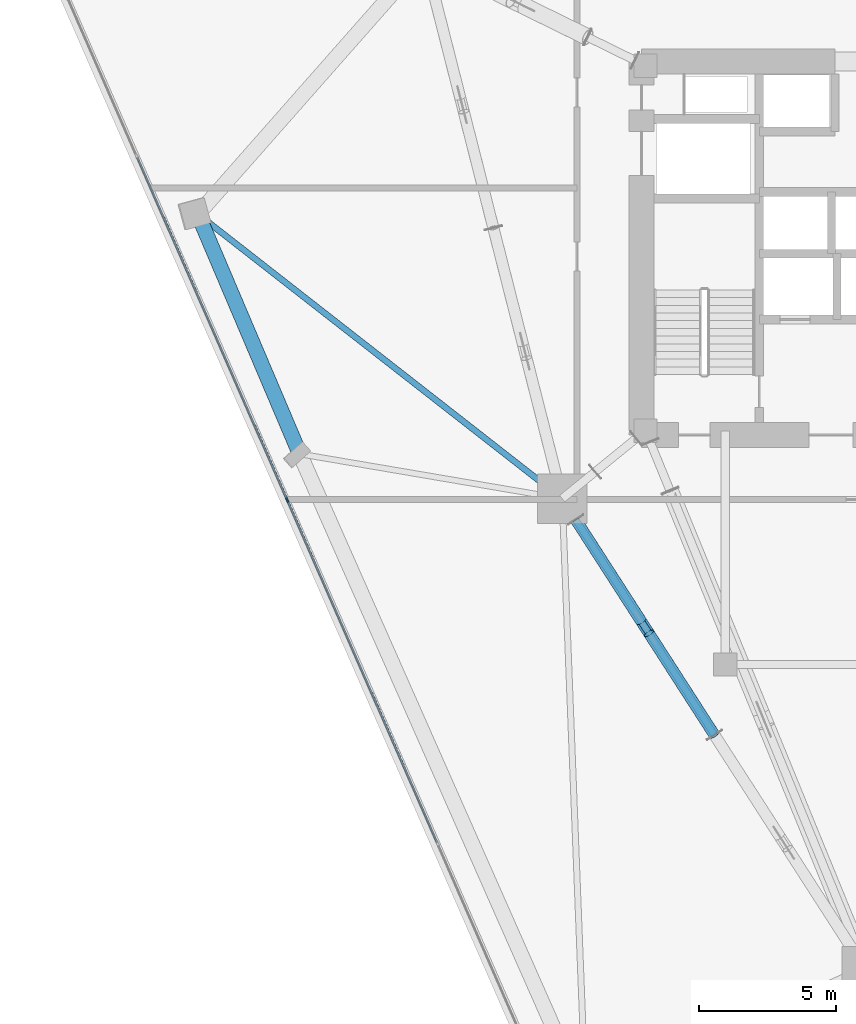
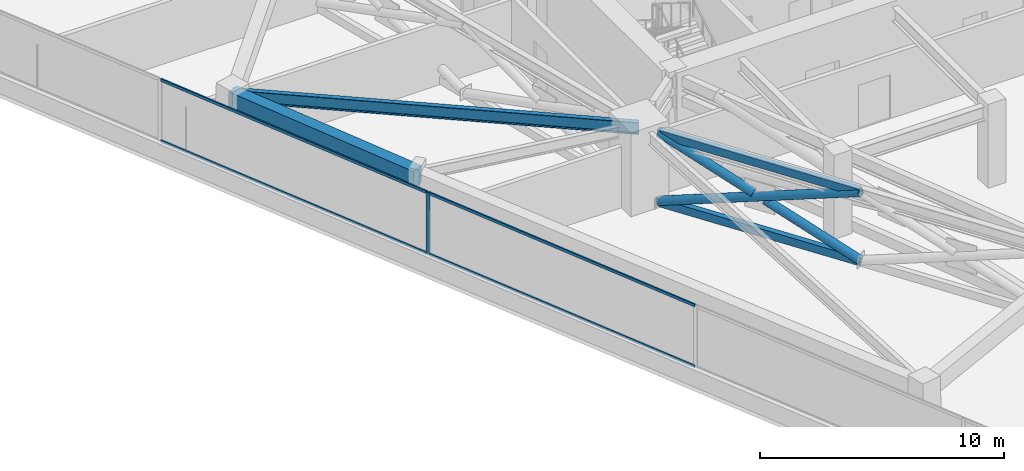
# One storey, part 6 of 20: 10 members, 2 beams, 1 element without a shape of its own.
"""IFC4 building model written with IfcOpenShell, lengths in metres."""

import ifcopenshell
import ifcopenshell.guid

model = None  # the IFC model being written
_history = None  # IfcOwnerHistory: only IFC2X3 demands one
_inside = {}  # id of a spatial element -> (the spatial element, [elements in it])
_under = {}  # id of a project, library or spatial element -> (it, [spatial elements below it])
_declared = {}  # id of a project -> (the project, [libraries it declares])
_typed = {}  # id of a type object -> (the type object, [elements of that type])
_made_of = {}  # id of a material, layer set ... -> (it, [elements and type objects made of it])


def new_model(schema):
    """Start an empty IFC model of exactly this schema.

    Asked for "IFC4X3", IfcOpenShell would pick the latest addendum, in which some entities
    have other attributes; the version numbers below select the first issue.
    IFC2X3 requires an IfcOwnerHistory on every rooted entity: one is made here for all.
    """
    global model, _history
    if schema == "IFC4X3":
        model = ifcopenshell.file(schema_version=(4, 3, 0, 0))
    else:
        model = ifcopenshell.file(schema=schema)
    _inside.clear()
    _under.clear()
    _declared.clear()
    _typed.clear()
    _made_of.clear()
    _history = None
    if model.schema == "IFC2X3":
        org = make("IfcOrganization", Name="unknown")
        user = make(
            "IfcPersonAndOrganization",
            ThePerson=make("IfcPerson", FamilyName="unknown"),
            TheOrganization=org,
        )
        app = make(
            "IfcApplication",
            ApplicationDeveloper=org,
            Version="unknown",
            ApplicationFullName="unknown",
            ApplicationIdentifier="unknown",
        )
        _history = make(
            "IfcOwnerHistory",
            OwningUser=user,
            OwningApplication=app,
            ChangeAction="ADDED",
            CreationDate=0,
        )
    return model


def make(cls, **values):
    """One entity of the class cls with the attributes given. An attribute that is None is left unset."""
    return model.create_entity(
        cls, **{name: value for name, value in values.items() if value is not None}
    )


def rooted(cls, **values):
    """An entity with a GlobalId (a new one), such as an element, a storey or a relation."""
    return make(cls, GlobalId=ifcopenshell.guid.new(), OwnerHistory=_history, **values)


def si_unit(unit_type, name, prefix=None):
    """IfcSIUnit, for example si_unit("LENGTHUNIT", "METRE", prefix="MILLI")."""
    return make("IfcSIUnit", UnitType=unit_type, Prefix=prefix, Name=name)


def assignment(units):
    """IfcUnitAssignment: the units of a project."""
    return None if units is None else make("IfcUnitAssignment", Units=units)


def point(xyz):
    """IfcCartesianPoint."""
    return None if xyz is None else make("IfcCartesianPoint", Coordinates=xyz)


def direction(xyz):
    """IfcDirection."""
    return None if xyz is None else make("IfcDirection", DirectionRatios=xyz)


def frame(location, z_axis=None, x_axis=None):
    """IfcAxis2Placement3D, a coordinate frame: its origin and axes. An axis left out is left unset."""
    return make(
        "IfcAxis2Placement3D",
        Location=point(location),
        Axis=direction(z_axis),
        RefDirection=direction(x_axis),
    )


def frame_2d(location, x_axis=None):
    """IfcAxis2Placement2D, a coordinate frame in the plane: its origin and x axis."""
    return make(
        "IfcAxis2Placement2D", Location=point(location), RefDirection=direction(x_axis)
    )


def origin():
    """The frame at (0, 0, 0) with its axes left unset."""
    return frame((0.0, 0.0, 0.0))


def origin_2d():
    """The frame at (0, 0) in the plane with its x axis left unset."""
    return frame_2d((0.0, 0.0))


def place(relative_to, where):
    """IfcLocalPlacement: puts the frame where relative to a parent placement (None: the world)."""
    return make(
        "IfcLocalPlacement", PlacementRelTo=relative_to, RelativePlacement=where
    )


def context(
    kind, dimensions, precision=None, world=None, true_north=None, identifier=None
):
    """IfcGeometricRepresentationContext, for example the 3D "Model" context."""
    return make(
        "IfcGeometricRepresentationContext",
        ContextIdentifier=identifier,
        ContextType=kind,
        CoordinateSpaceDimension=dimensions,
        Precision=precision,
        WorldCoordinateSystem=world,
        TrueNorth=true_north,
    )


def subcontext(parent, identifier, kind, view, scale=None):
    """IfcGeometricRepresentationSubContext, for example "Body" below "Model"."""
    return make(
        "IfcGeometricRepresentationSubContext",
        ContextIdentifier=identifier,
        ContextType=kind,
        ParentContext=parent,
        TargetScale=scale,
        TargetView=view,
    )


def project(units=None, contexts=None):
    """IfcProject with its units and contexts."""
    return rooted(
        "IfcProject",
        Name="project",
        RepresentationContexts=contexts,
        UnitsInContext=assignment(units),
    )


def spatial(cls, under=None, at=None, **own):
    """A site, building, storey or space (cls), placed at a placement, below another one or the project."""
    s = rooted(cls, ObjectPlacement=at, **own)
    if under is not None:
        _under.setdefault(under.id(), (under, []))[1].append(s)
    return s


def profile(cls, at=None, kind="AREA", **sizes):
    """A parametric profile (cls). Its sizes go by their IFC names, for example OverallWidth=200.0."""
    return make(cls, ProfileType=kind, Position=at, **sizes)


def rectangle(**sizes):
    """IfcRectangleProfileDef."""
    return profile("IfcRectangleProfileDef", **sizes)


def hollow_rectangle(**sizes):
    """IfcRectangleHollowProfileDef."""
    return profile("IfcRectangleHollowProfileDef", **sizes)


def hollow_circle(**sizes):
    """IfcCircleHollowProfileDef."""
    return profile("IfcCircleHollowProfileDef", **sizes)


def i_section(**sizes):
    """IfcIShapeProfileDef."""
    return profile("IfcIShapeProfileDef", **sizes)


def extrude(swept, where, along, depth):
    """IfcExtrudedAreaSolid: the profile swept, set in the frame where, extruded along a direction by depth."""
    return make(
        "IfcExtrudedAreaSolid",
        SweptArea=swept,
        Position=where,
        ExtrudedDirection=direction(along),
        Depth=depth,
    )


def shape(context_of_items, identifier, shape_type, items):
    """IfcShapeRepresentation: the items that make up one representation, for example the "Body"."""
    return make(
        "IfcShapeRepresentation",
        ContextOfItems=context_of_items,
        RepresentationIdentifier=identifier,
        RepresentationType=shape_type,
        Items=items,
    )


def material(Name=None, Category=None):
    """IfcMaterial."""
    return make("IfcMaterial", Name=Name, Category=Category)


def layer(
    of_material, thickness, ventilated=None, Name=None, Category=None, Priority=None
):
    """IfcMaterialLayer: one layer of a wall or slab, of a material (None: an air gap)."""
    return make(
        "IfcMaterialLayer",
        Material=of_material,
        LayerThickness=thickness,
        IsVentilated=ventilated,
        Name=Name,
        Category=Category,
        Priority=Priority,
    )


def layer_set(layers, Name=None):
    """IfcMaterialLayerSet."""
    return make("IfcMaterialLayerSet", MaterialLayers=layers, LayerSetName=Name)


def material_profile(
    of_material, cross_section, Name=None, Category=None, Priority=None
):
    """IfcMaterialProfile: a cross section and its material."""
    return make(
        "IfcMaterialProfile",
        Name=Name,
        Material=of_material,
        Profile=cross_section,
        Priority=Priority,
        Category=Category,
    )


def profile_set(profiles, Name=None, composite=None):
    """IfcMaterialProfileSet."""
    return make(
        "IfcMaterialProfileSet",
        Name=Name,
        MaterialProfiles=profiles,
        CompositeProfile=composite,
    )


def made_of(thing, what):
    """Note that an element or type object is made of a material, layer set ...; save() writes the relation."""
    if what is not None:
        _made_of.setdefault(what.id(), (what, []))[1].append(thing)
    return thing


def type_object(cls, material=None, **own):
    """A type object (cls), such as IfcWallType, which elements share."""
    return made_of(rooted(cls, **own), material)


def element(
    cls,
    number,
    at=None,
    inside=None,
    cuts=None,
    type_object=None,
    material=None,
    context=None,
    identifier="Body",
    shape_type=None,
    held_by="IfcProductDefinitionShape",
    body=None,
    shapes=None,
    **own,
):
    """One element of the class cls, such as IfcWall. Its Tag is "e" and its number.

    at: its placement. inside: the storey or other place that contains it. cuts: it is an
    opening in that element (IfcRelVoidsElement). A single representation is given by context,
    identifier, shape_type and body (its items); several are given by shapes. held_by: the class
    of the entity that holds the representations. save() writes the other relations.
    """
    e = rooted(cls, Tag="e%d" % number, ObjectPlacement=at, **own)
    if body is not None:
        shapes = [shape(context, identifier, shape_type, body)]
    if shapes is not None:
        e.Representation = make(held_by, Representations=shapes)
    if inside is not None:
        _inside.setdefault(inside.id(), (inside, []))[1].append(e)
    if cuts is not None:
        rooted(
            "IfcRelVoidsElement", RelatingBuildingElement=cuts, RelatedOpeningElement=e
        )
    if type_object is not None:
        _typed.setdefault(type_object.id(), (type_object, []))[1].append(e)
    return made_of(e, material)


def aggregate(whole, parts):
    """IfcRelAggregates: a whole, such as a stair, and the parts it consists of."""
    return rooted("IfcRelAggregates", RelatingObject=whole, RelatedObjects=parts)


def save(model, path):
    """Write the relations noted so far, then the file.

    IfcRelAggregates (storeys below a building ...), IfcRelContainedInSpatialStructure (elements
    in a storey), IfcRelDefinesByType, IfcRelAssociatesMaterial and IfcRelDeclares: one each for
    every whole, place, type object, material and project.
    """
    for whole, parts in _under.values():
        aggregate(whole, parts)
    for where, things in _inside.values():
        rooted(
            "IfcRelContainedInSpatialStructure",
            RelatedElements=things,
            RelatingStructure=where,
        )
    for kind, things in _typed.values():
        rooted("IfcRelDefinesByType", RelatedObjects=things, RelatingType=kind)
    for what, things in _made_of.values():
        rooted("IfcRelAssociatesMaterial", RelatedObjects=things, RelatingMaterial=what)
    for by, libraries in _declared.values():
        rooted("IfcRelDeclares", RelatingContext=by, RelatedDefinitions=libraries)
    model.write(path)


model = new_model("IFC4")

# Units and contexts
model_context = context("Model", 3, precision=1e-05, world=origin(), true_north=direction((0.0, 1.0)))
body_context = subcontext(model_context, "Body", "Model", "MODEL_VIEW")
ifc_project = project(units=[si_unit("LENGTHUNIT", "METRE"), si_unit("AREAUNIT", "SQUARE_METRE"), si_unit("VOLUMEUNIT", "CUBIC_METRE"), si_unit("PLANEANGLEUNIT", "RADIAN"), si_unit("MASSUNIT", "GRAM", prefix="KILO")], contexts=[model_context])

# Site, building, storey
site_placement = place(None, origin())
site = spatial("IfcSite", under=ifc_project, at=site_placement, CompositionType="ELEMENT")
building_placement = place(site_placement, origin())
building = spatial("IfcBuilding", under=site, at=building_placement, Name="Talyreon Biosciences Tower", CompositionType="ELEMENT")
storey_placement = place(building_placement, frame((0.0, 0.0, 70.800048828125)))
storey = spatial("IfcBuildingStorey", under=building, at=storey_placement, Name="L18", CompositionType="ELEMENT", Elevation=70.800048828125)

# Members
ifc_material_1 = material(Name="Steel SM355", Category="steel")
ifc_material_profile_1 = material_profile(ifc_material_1, hollow_circle(Radius=0.203125, WallThickness=0.01611328125, at=origin_2d()), Name="CHS 406.4x16")
ifc_profile_set_1 = profile_set([ifc_material_profile_1], Name="Steel SM355")
member_type_1 = type_object("IfcMemberType", Name="BeltBrace_CHS406", PredefinedType="BRACE", material=ifc_profile_set_1)
member_1_placement = place(storey_placement, frame((55.406494140625, 58.115234375, 0.239990234375), z_axis=(0.508099784477, -0.788922796945, 0.345594313429), x_axis=(0.840724883889, 0.541462528352, 0.0)))
element("IfcMember", 1, at=member_1_placement, inside=storey, type_object=member_type_1, Name="L18 Continuous Diagonal BELT-L18-B6S1A", PredefinedType="BRACE", context=body_context, shape_type="SweptSolid", body=[
    extrude(hollow_circle(Radius=0.203125, WallThickness=0.01611328125, at=origin_2d()), origin(), (0.0, 0.0, 1.0), 9.939453125),
])
member_2_placement = place(storey_placement, frame((60.456787109375, 50.273681640625, 0.239990234375), z_axis=(-0.508088975577, 0.788943486155, 0.345562973349), x_axis=(-0.840736591054, -0.541444350292, 0.0)))
element("IfcMember", 2, at=member_2_placement, inside=storey, type_object=member_type_1, Name="L18 Split Diagonal BELT-L18-B6S1B-Lower", PredefinedType="BRACE", context=body_context, shape_type="SweptSolid", body=[
    extrude(hollow_circle(Radius=0.203125, WallThickness=0.01611328125, at=origin_2d()), origin(), (0.0, 0.0, 1.0), 4.689697265625),
])
member_3_placement = place(storey_placement, frame((57.789306640625, 54.415283203125, 2.05419921875), z_axis=(-0.50807983491, 0.788929292834, 0.345608813931), x_axis=(-0.840736591054, -0.541444350292, 0.0)))
element("IfcMember", 3, at=member_3_placement, inside=storey, type_object=member_type_1, Name="L18 Split Diagonal BELT-L18-B6S1B-Upper", PredefinedType="BRACE", context=body_context, shape_type="SweptSolid", body=[
    extrude(hollow_circle(Radius=0.203125, WallThickness=0.01611328125, at=origin_2d()), origin(), (0.0, 0.0, 1.0), 4.68994140625),
])
ifc_material_profile_2 = material_profile(ifc_material_1, hollow_rectangle(XDim=0.25, YDim=0.39990234375, WallThickness=0.01611328125, at=origin_2d()), Name="RHS 400x250x16")
ifc_profile_set_2 = profile_set([ifc_material_profile_2], Name="Steel SM355")
member_type_2 = type_object("IfcMemberType", Name="BeltChord_RHS400x250", PredefinedType="CHORD", material=ifc_profile_set_2)
for number, where, z_axis, x_axis, name in (
    (4, (55.406494140625, 58.115234375, 0.239990234375), (0.541462528352, -0.840724883889, 0.0), (0.840724883889, 0.541462528352, 0.0), "L18 Truss Bottom Chord BELT-L18-B6S1"),
    (5, (55.406494140625, 58.115234375, 3.675048828125), (0.541462528352, -0.840724883889, 0.0), (0.840724883889, 0.541462528352, 0.0), "L18 Truss Top Chord BELT-L18-B6S1"),
):
    element("IfcMember", number, at=place(storey_placement, frame(where, z_axis=z_axis, x_axis=x_axis)), inside=storey, type_object=member_type_2, Name=name, PredefinedType="CHORD", context=body_context, shape_type="SweptSolid", body=[
        extrude(hollow_rectangle(XDim=0.25, YDim=0.39990234375, WallThickness=0.01611328125, at=origin_2d()), origin(), (0.0, 0.0, 1.0), 9.3271484375),
    ])

# Curtain wall, members
ifc_material_2 = material(Name="Thermally broken aluminium and low-E glazing", Category="aluminium")
ifc_layer = layer(ifc_material_2, 0.195068359375)
ifc_layer_set = layer_set([ifc_layer], Name="Thermally broken aluminium and low-E glazing")
curtain_wall_type = type_object("IfcCurtainWallType", Name="CurtainWall_Zone1WetLab", PredefinedType="NOTDEFINED", material=ifc_layer_set)
curtain_wall_placement = place(storey_placement, origin())
curtain_wall = element("IfcCurtainWall", 6, at=curtain_wall_placement, inside=storey, type_object=curtain_wall_type, Name="L18 Unitised Curtain Wall FCW-L18-00", PredefinedType="NOTDEFINED")
ifc_material_3 = material(Name="Anodised thermally broken aluminium", Category="aluminium")
ifc_material_profile_3 = material_profile(ifc_material_3, rectangle(XDim=0.06494140625, YDim=0.179931640625, at=origin_2d()), Name="ALUM MULLION 65x180")
ifc_profile_set_3 = profile_set([ifc_material_profile_3], Name="Anodised thermally broken aluminium")
member_type_3 = type_object("IfcMemberType", Name="CWMullion_65x180", PredefinedType="MULLION", material=ifc_profile_set_3)
member_4_placement = place(storey_placement, frame((44.8994140625, 58.830078125, 0.81005859375), z_axis=(0.0, 0.0, 1.0), x_axis=(-0.916151953082, -0.400831135099, 0.0)))
member_4 = element("IfcMember", 7, at=member_4_placement, type_object=member_type_3, Name="CW2 mullion 4", PredefinedType="MULLION", context=body_context, shape_type="SweptSolid", body=[
    extrude(rectangle(XDim=0.06494140625, YDim=0.179931640625, at=origin_2d()), origin(), (0.0, 0.0, 1.0), 3.114990234375),
])
ifc_material_profile_4 = material_profile(ifc_material_3, rectangle(XDim=0.06494140625, YDim=0.139892578125, at=origin_2d()), Name="ALUM TRANSOM 65x140")
ifc_profile_set_4 = profile_set([ifc_material_profile_4], Name="Anodised thermally broken aluminium")
member_type_4 = type_object("IfcMemberType", Name="CWTransom_65x140", PredefinedType="USERDEFINED", material=ifc_profile_set_4)
member_5_placement = place(storey_placement, frame((50.356201171875, 46.357421875, 0.842529296875), z_axis=(-0.40082449197, 0.916154859528, 0.0), x_axis=(-0.916154859528, -0.40082449197, 0.0)))
member_5 = element("IfcMember", 8, at=member_5_placement, type_object=member_type_4, Name="CW2 transom 3.1", ObjectType="TRANSOM", PredefinedType="USERDEFINED", context=body_context, shape_type="SweptSolid", body=[
    extrude(rectangle(XDim=0.06494140625, YDim=0.139892578125, at=origin_2d()), origin(), (0.0, 0.0, 1.0), 13.58154296875),
])
member_6_placement = place(storey_placement, frame((50.356201171875, 46.357421875, 3.892333984375), z_axis=(-0.40082449197, 0.916154859528, 0.0), x_axis=(-0.916154859528, -0.40082449197, 0.0)))
member_6 = element("IfcMember", 9, at=member_6_placement, type_object=member_type_4, Name="CW2 transom 3.2", ObjectType="TRANSOM", PredefinedType="USERDEFINED", context=body_context, shape_type="SweptSolid", body=[
    extrude(rectangle(XDim=0.06494140625, YDim=0.139892578125, at=origin_2d()), origin(), (0.0, 0.0, 1.0), 13.58154296875),
])
member_7_placement = place(storey_placement, frame((44.88623046875, 58.85986328125, 0.842529296875), z_axis=(-0.40082449197, 0.916154859528, 0.0), x_axis=(-0.916154859528, -0.40082449197, 0.0)))
member_7 = element("IfcMember", 10, at=member_7_placement, type_object=member_type_4, Name="CW2 transom 4.1", ObjectType="TRANSOM", PredefinedType="USERDEFINED", context=body_context, shape_type="SweptSolid", body=[
    extrude(rectangle(XDim=0.06494140625, YDim=0.139892578125, at=origin_2d()), origin(), (0.0, 0.0, 1.0), 13.58154296875),
])
member_8_placement = place(storey_placement, frame((44.88623046875, 58.85986328125, 3.892333984375), z_axis=(-0.40082449197, 0.916154859528, 0.0), x_axis=(-0.916154859528, -0.40082449197, 0.0)))
member_8 = element("IfcMember", 11, at=member_8_placement, type_object=member_type_4, Name="CW2 transom 4.2", ObjectType="TRANSOM", PredefinedType="USERDEFINED", context=body_context, shape_type="SweptSolid", body=[
    extrude(rectangle(XDim=0.06494140625, YDim=0.139892578125, at=origin_2d()), origin(), (0.0, 0.0, 1.0), 13.58154296875),
])
aggregate(curtain_wall, [member_4, member_5, member_6, member_7, member_8])

# Beams
ifc_material_4 = material(Name="Precast concrete C45/55", Category="concrete")
ifc_material_profile_5 = material_profile(ifc_material_4, rectangle(XDim=0.550048828125, YDim=0.85009765625, at=origin_2d()), Name="RCB 550x850")
ifc_profile_set_5 = profile_set([ifc_material_profile_5], Name="Precast concrete C45/55")
beam_type_1 = type_object("IfcBeamType", Name="ExpressedSpandrel_550x850", PredefinedType="SPANDREL", material=ifc_profile_set_5)
beam_1_placement = place(storey_placement, frame((41.646728515625, 69.239990234375, 3.5), z_axis=(0.391100866271, -0.920347821425, 0.0), x_axis=(0.920347821425, 0.391100866271, 0.0)))
element("IfcBeam", 12, at=beam_1_placement, inside=storey, type_object=beam_type_1, Name="L18 Expressed Horizontal Concrete Spandrel 10", PredefinedType="SPANDREL", context=body_context, shape_type="SweptSolid", body=[
    extrude(rectangle(XDim=0.550048828125, YDim=0.85009765625, at=origin_2d()), origin(), (0.0, 0.0, 1.0), 9.488525390625),
])
ifc_material_profile_6 = material_profile(ifc_material_1, i_section(OverallWidth=0.219970703125, OverallDepth=0.60009765625, WebThickness=0.011962890625, FlangeThickness=0.01904296875, FilletRadius=0.02392578125, at=origin_2d()), Name="IPE600")
ifc_profile_set_6 = profile_set([ifc_material_profile_6], Name="Steel SM355")
beam_type_2 = type_object("IfcBeamType", Name="SteelJoist_IPE600", PredefinedType="JOIST", material=ifc_profile_set_6)
beam_2_placement = place(storey_placement, frame((54.913818359375, 58.88037109375, 3.625), z_axis=(-0.788176953874, 0.61544868948, 0.0), x_axis=(-0.61544868948, -0.788176953874, 0.0)))
element("IfcBeam", 13, at=beam_2_placement, inside=storey, type_object=beam_type_2, Name="L18 Radial Composite Floor Joist PC-SW1", PredefinedType="JOIST", context=body_context, shape_type="SweptSolid", body=[
    extrude(i_section(OverallWidth=0.219970703125, OverallDepth=0.60009765625, WebThickness=0.011962890625, FlangeThickness=0.01904296875, FilletRadius=0.02392578125, at=origin_2d()), origin(), (0.0, 0.0, 1.0), 16.83251953125),
])

save(model, "model.ifc")
